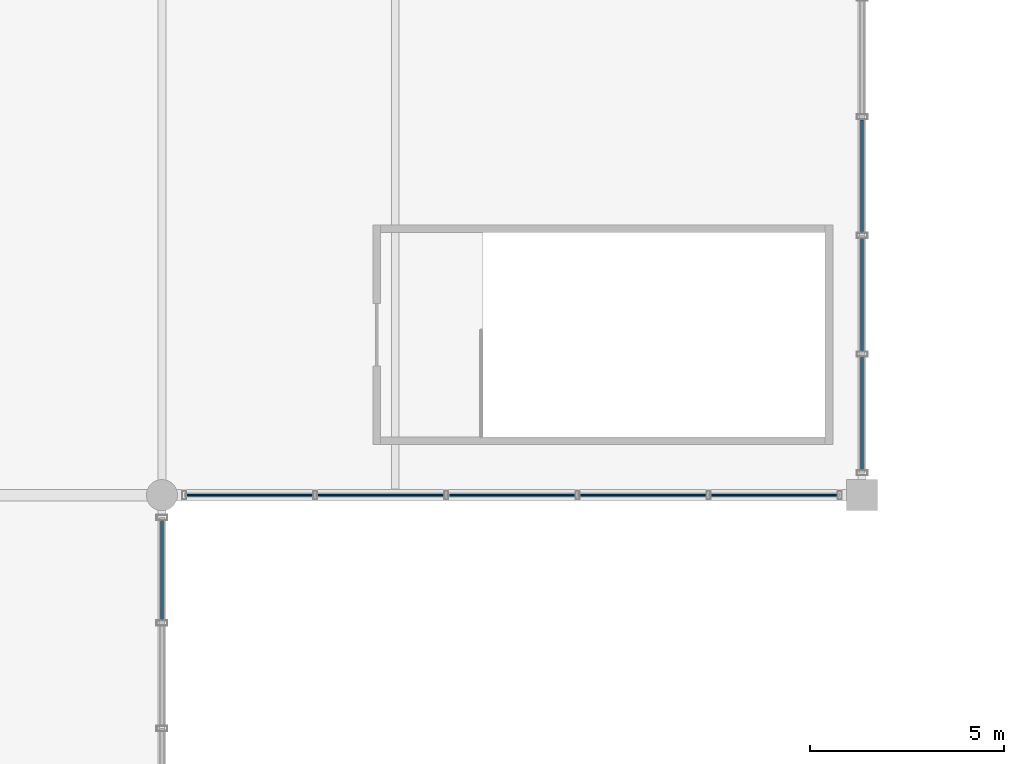
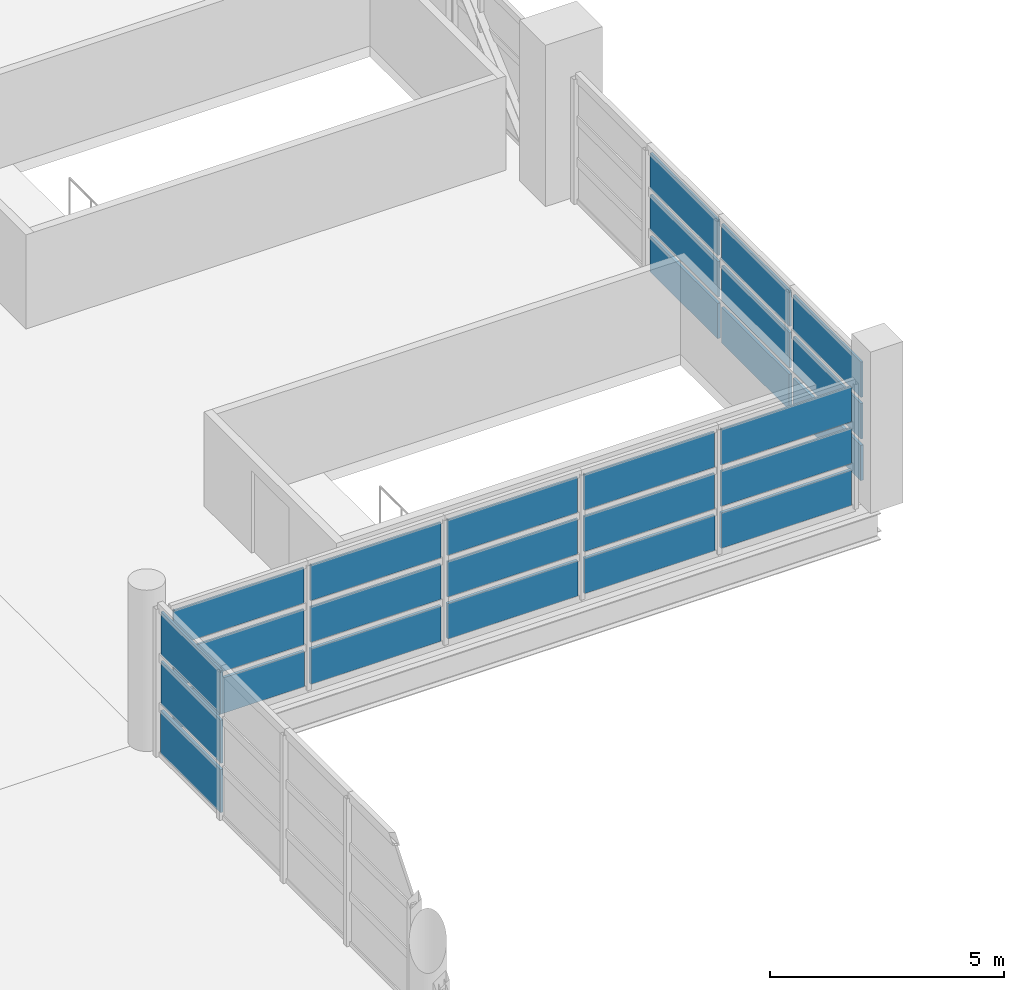
# One storey, part 100 of 136: 27 plates, 3 elements without a shape of their own.
"""IFC4 building model written with IfcOpenShell, lengths in metres."""

from ifc_helpers import new_model, si_unit, direction, frame, origin, origin_2d, place, context, subcontext, project, spatial, rectangle, extrude, material, layer, layer_set, type_object, element, aggregate, save


model = new_model("IFC4")

# Units and contexts
model_context = context("Model", 3, precision=1e-05, world=origin(), true_north=direction((0.0, 1.0)))
body_context = subcontext(model_context, "Body", "Model", "MODEL_VIEW")
ifc_project = project(units=[si_unit("LENGTHUNIT", "METRE"), si_unit("AREAUNIT", "SQUARE_METRE"), si_unit("VOLUMEUNIT", "CUBIC_METRE"), si_unit("PLANEANGLEUNIT", "RADIAN"), si_unit("MASSUNIT", "GRAM", prefix="KILO")], contexts=[model_context])

# Site, building, storey
site_placement = place(None, origin())
site = spatial("IfcSite", under=ifc_project, at=site_placement, CompositionType="ELEMENT")
building_placement = place(site_placement, origin())
building = spatial("IfcBuilding", under=site, at=building_placement, Name="Chuanluo Vaults Station", CompositionType="ELEMENT")
storey_placement = place(building_placement, frame((0.0, 0.0, 6.60009765625)))
storey = spatial("IfcBuildingStorey", under=building, at=storey_placement, Name="L01", CompositionType="ELEMENT", Elevation=6.60009765625)

# Curtain wall, plate
ifc_material_1 = material(Name="Anodised aluminium 6063-T6", Category="aluminium")
curtain_wall_type_1 = type_object("IfcCurtainWallType", Name="CW-SYS-10", PredefinedType="NOTDEFINED", material=ifc_material_1)
curtain_wall_1_placement = place(storey_placement, origin())
curtain_wall_1 = element("IfcCurtainWall", 1, at=curtain_wall_1_placement, inside=storey, type_object=curtain_wall_type_1, Name="Concourse east curtain wall 42", PredefinedType="NOTDEFINED")
ifc_material_2 = material(Name="Ceramic-fritted spandrel glass", Category="glass")
ifc_layer_1 = layer(ifc_material_2, 0.070068359375)
ifc_layer_set_1 = layer_set([ifc_layer_1], Name="Ceramic-fritted spandrel glass")
plate_type_1 = type_object("IfcPlateType", Name="CWP-SPN-50", PredefinedType="SHEET", material=ifc_layer_set_1)
plate_1_placement = place(storey_placement, frame((90.0, 52.068603515625, 0.080078125), z_axis=(0.0, 0.0, 1.0), x_axis=(0.0, -1.0, 0.0)))
plate_1 = element("IfcPlate", 2, at=plate_1_placement, type_object=plate_type_1, Name="Concourse east curtain wall 42 glazed panel 1.1", PredefinedType="SHEET", context=body_context, shape_type="SweptSolid", body=[
    extrude(rectangle(XDim=2.552490234375, YDim=0.070068359375, at=origin_2d()), origin(), (0.0, 0.0, 1.0), 1.123291015625),
])

# Curtain wall, plates
ifc_material_3 = material(Name="Anodised aluminium 6063-T6", Category="aluminium")
curtain_wall_type_2 = type_object("IfcCurtainWallType", Name="CW-SYS-22", PredefinedType="NOTDEFINED", material=ifc_material_3)
curtain_wall_2_placement = place(storey_placement, origin())
curtain_wall_2 = element("IfcCurtainWall", 3, at=curtain_wall_2_placement, inside=storey, type_object=curtain_wall_type_2, Name="Over-track east hall CW 54", PredefinedType="NOTDEFINED")
plate_2_placement = place(storey_placement, frame((108.0, 62.199951171875, 0.079833984375), z_axis=(0.0, 0.0, 1.0), x_axis=(0.0, -1.0, 0.0)))
plate_2 = element("IfcPlate", 4, at=plate_2_placement, type_object=plate_type_1, Name="Over-track east hall CW 54 glazed panel 2.1", PredefinedType="SHEET", context=body_context, shape_type="SweptSolid", body=[
    extrude(rectangle(XDim=2.889892578125, YDim=0.070068359375, at=origin_2d()), origin(), (0.0, 0.0, 1.0), 0.92333984375),
])
plate_3_placement = place(storey_placement, frame((108.0, 59.14990234375, 0.079833984375), z_axis=(0.0, 0.0, 1.0), x_axis=(0.0, -1.0, 0.0)))
plate_3 = element("IfcPlate", 5, at=plate_3_placement, type_object=plate_type_1, Name="Over-track east hall CW 54 glazed panel 3.1", PredefinedType="SHEET", context=body_context, shape_type="SweptSolid", body=[
    extrude(rectangle(XDim=2.889892578125, YDim=0.070068359375, at=origin_2d()), origin(), (0.0, 0.0, 1.0), 0.92333984375),
])
plate_4_placement = place(storey_placement, frame((108.0, 56.10009765625, 0.079833984375), z_axis=(0.0, 0.0, 1.0), x_axis=(0.0, -1.0, 0.0)))
plate_4 = element("IfcPlate", 6, at=plate_4_placement, type_object=plate_type_1, Name="Over-track east hall CW 54 glazed panel 4.1", PredefinedType="SHEET", context=body_context, shape_type="SweptSolid", body=[
    extrude(rectangle(XDim=2.889892578125, YDim=0.070068359375, at=origin_2d()), origin(), (0.0, 0.0, 1.0), 0.92333984375),
])

ifc_material_4 = material(Name="Anodised aluminium 6063-T6", Category="aluminium")
curtain_wall_type_3 = type_object("IfcCurtainWallType", Name="CW-SYS-04", PredefinedType="NOTDEFINED", material=ifc_material_4)
curtain_wall_3_placement = place(storey_placement, origin())
curtain_wall_3 = element("IfcCurtainWall", 7, at=curtain_wall_3_placement, inside=storey, type_object=curtain_wall_type_3, Name="Over-track SE bridge CW", PredefinedType="NOTDEFINED")
plate_5_placement = place(storey_placement, frame((105.739990234375, 54.0, 0.079833984375), z_axis=(0.0, 0.0, 1.0), x_axis=(-1.0, 0.0, 0.0)))
plate_5 = element("IfcPlate", 8, at=plate_5_placement, type_object=plate_type_1, Name="Over-track SE bridge CW glazed panel 1.1", PredefinedType="SHEET", context=body_context, shape_type="SweptSolid", body=[
    extrude(rectangle(XDim=3.2099609375, YDim=0.070068359375, at=origin_2d()), origin(), (0.0, 0.0, 1.0), 0.92333984375),
])
plate_6_placement = place(storey_placement, frame((102.3701171875, 54.0, 0.079833984375), z_axis=(0.0, 0.0, 1.0), x_axis=(-1.0, 0.0, 0.0)))
plate_6 = element("IfcPlate", 9, at=plate_6_placement, type_object=plate_type_1, Name="Over-track SE bridge CW glazed panel 2.1", PredefinedType="SHEET", context=body_context, shape_type="SweptSolid", body=[
    extrude(rectangle(XDim=3.2099609375, YDim=0.070068359375, at=origin_2d()), origin(), (0.0, 0.0, 1.0), 0.92333984375),
])
plate_7_placement = place(storey_placement, frame((99.0, 54.0, 0.079833984375), z_axis=(0.0, 0.0, 1.0), x_axis=(-1.0, 0.0, 0.0)))
plate_7 = element("IfcPlate", 10, at=plate_7_placement, type_object=plate_type_1, Name="Over-track SE bridge CW glazed panel 3.1", PredefinedType="SHEET", context=body_context, shape_type="SweptSolid", body=[
    extrude(rectangle(XDim=3.2099609375, YDim=0.070068359375, at=origin_2d()), origin(), (0.0, 0.0, 1.0), 0.92333984375),
])
plate_8_placement = place(storey_placement, frame((95.6298828125, 54.0, 0.079833984375), z_axis=(0.0, 0.0, 1.0), x_axis=(-1.0, 0.0, 0.0)))
plate_8 = element("IfcPlate", 11, at=plate_8_placement, type_object=plate_type_1, Name="Over-track SE bridge CW glazed panel 4.1", PredefinedType="SHEET", context=body_context, shape_type="SweptSolid", body=[
    extrude(rectangle(XDim=3.2099609375, YDim=0.070068359375, at=origin_2d()), origin(), (0.0, 0.0, 1.0), 0.92333984375),
])
plate_9_placement = place(storey_placement, frame((92.260009765625, 54.0, 0.079833984375), z_axis=(0.0, 0.0, 1.0), x_axis=(-1.0, 0.0, 0.0)))
plate_9 = element("IfcPlate", 12, at=plate_9_placement, type_object=plate_type_1, Name="Over-track SE bridge CW glazed panel 5.1", PredefinedType="SHEET", context=body_context, shape_type="SweptSolid", body=[
    extrude(rectangle(XDim=3.2099609375, YDim=0.070068359375, at=origin_2d()), origin(), (0.0, 0.0, 1.0), 0.92333984375),
])
ifc_material_5 = material(Name="Double-silver Low-E laminated glass", Category="glass")
ifc_layer_2 = layer(ifc_material_5, 0.0439453125)
ifc_layer_set_2 = layer_set([ifc_layer_2], Name="Double-silver Low-E laminated glass")
plate_type_2 = type_object("IfcPlateType", Name="CWP-VIS-28", PredefinedType="CURTAIN_PANEL", material=ifc_layer_set_2)
plate_10_placement = place(storey_placement, frame((105.739990234375, 54.0, 1.163330078125), z_axis=(0.0, 0.0, 1.0), x_axis=(-1.0, 0.0, 0.0)))
plate_10 = element("IfcPlate", 13, at=plate_10_placement, type_object=plate_type_2, Name="Over-track SE bridge CW glazed panel 1.2", PredefinedType="CURTAIN_PANEL", context=body_context, shape_type="SweptSolid", body=[
    extrude(rectangle(XDim=3.2099609375, YDim=0.0439453125, at=origin_2d()), origin(), (0.0, 0.0, 1.0), 0.92333984375),
])
plate_11_placement = place(storey_placement, frame((105.739990234375, 54.0, 2.24658203125), z_axis=(0.0, 0.0, 1.0), x_axis=(-1.0, 0.0, 0.0)))
plate_11 = element("IfcPlate", 14, at=plate_11_placement, type_object=plate_type_2, Name="Over-track SE bridge CW glazed panel 1.3", PredefinedType="CURTAIN_PANEL", context=body_context, shape_type="SweptSolid", body=[
    extrude(rectangle(XDim=3.2099609375, YDim=0.0439453125, at=origin_2d()), origin(), (0.0, 0.0, 1.0), 0.92333984375),
])
plate_12_placement = place(storey_placement, frame((102.3701171875, 54.0, 1.163330078125), z_axis=(0.0, 0.0, 1.0), x_axis=(-1.0, 0.0, 0.0)))
plate_12 = element("IfcPlate", 15, at=plate_12_placement, type_object=plate_type_2, Name="Over-track SE bridge CW glazed panel 2.2", PredefinedType="CURTAIN_PANEL", context=body_context, shape_type="SweptSolid", body=[
    extrude(rectangle(XDim=3.2099609375, YDim=0.0439453125, at=origin_2d()), origin(), (0.0, 0.0, 1.0), 0.92333984375),
])
plate_13_placement = place(storey_placement, frame((102.3701171875, 54.0, 2.24658203125), z_axis=(0.0, 0.0, 1.0), x_axis=(-1.0, 0.0, 0.0)))
plate_13 = element("IfcPlate", 16, at=plate_13_placement, type_object=plate_type_2, Name="Over-track SE bridge CW glazed panel 2.3", PredefinedType="CURTAIN_PANEL", context=body_context, shape_type="SweptSolid", body=[
    extrude(rectangle(XDim=3.2099609375, YDim=0.0439453125, at=origin_2d()), origin(), (0.0, 0.0, 1.0), 0.92333984375),
])
plate_14_placement = place(storey_placement, frame((99.0, 54.0, 1.163330078125), z_axis=(0.0, 0.0, 1.0), x_axis=(-1.0, 0.0, 0.0)))
plate_14 = element("IfcPlate", 17, at=plate_14_placement, type_object=plate_type_2, Name="Over-track SE bridge CW glazed panel 3.2", PredefinedType="CURTAIN_PANEL", context=body_context, shape_type="SweptSolid", body=[
    extrude(rectangle(XDim=3.2099609375, YDim=0.0439453125, at=origin_2d()), origin(), (0.0, 0.0, 1.0), 0.92333984375),
])
plate_15_placement = place(storey_placement, frame((99.0, 54.0, 2.24658203125), z_axis=(0.0, 0.0, 1.0), x_axis=(-1.0, 0.0, 0.0)))
plate_15 = element("IfcPlate", 18, at=plate_15_placement, type_object=plate_type_2, Name="Over-track SE bridge CW glazed panel 3.3", PredefinedType="CURTAIN_PANEL", context=body_context, shape_type="SweptSolid", body=[
    extrude(rectangle(XDim=3.2099609375, YDim=0.0439453125, at=origin_2d()), origin(), (0.0, 0.0, 1.0), 0.92333984375),
])
plate_16_placement = place(storey_placement, frame((95.6298828125, 54.0, 1.163330078125), z_axis=(0.0, 0.0, 1.0), x_axis=(-1.0, 0.0, 0.0)))
plate_16 = element("IfcPlate", 19, at=plate_16_placement, type_object=plate_type_2, Name="Over-track SE bridge CW glazed panel 4.2", PredefinedType="CURTAIN_PANEL", context=body_context, shape_type="SweptSolid", body=[
    extrude(rectangle(XDim=3.2099609375, YDim=0.0439453125, at=origin_2d()), origin(), (0.0, 0.0, 1.0), 0.92333984375),
])
plate_17_placement = place(storey_placement, frame((95.6298828125, 54.0, 2.24658203125), z_axis=(0.0, 0.0, 1.0), x_axis=(-1.0, 0.0, 0.0)))
plate_17 = element("IfcPlate", 20, at=plate_17_placement, type_object=plate_type_2, Name="Over-track SE bridge CW glazed panel 4.3", PredefinedType="CURTAIN_PANEL", context=body_context, shape_type="SweptSolid", body=[
    extrude(rectangle(XDim=3.2099609375, YDim=0.0439453125, at=origin_2d()), origin(), (0.0, 0.0, 1.0), 0.92333984375),
])
plate_18_placement = place(storey_placement, frame((92.260009765625, 54.0, 1.163330078125), z_axis=(0.0, 0.0, 1.0), x_axis=(-1.0, 0.0, 0.0)))
plate_18 = element("IfcPlate", 21, at=plate_18_placement, type_object=plate_type_2, Name="Over-track SE bridge CW glazed panel 5.2", PredefinedType="CURTAIN_PANEL", context=body_context, shape_type="SweptSolid", body=[
    extrude(rectangle(XDim=3.2099609375, YDim=0.0439453125, at=origin_2d()), origin(), (0.0, 0.0, 1.0), 0.92333984375),
])
plate_19_placement = place(storey_placement, frame((92.260009765625, 54.0, 2.24658203125), z_axis=(0.0, 0.0, 1.0), x_axis=(-1.0, 0.0, 0.0)))
plate_19 = element("IfcPlate", 22, at=plate_19_placement, type_object=plate_type_2, Name="Over-track SE bridge CW glazed panel 5.3", PredefinedType="CURTAIN_PANEL", context=body_context, shape_type="SweptSolid", body=[
    extrude(rectangle(XDim=3.2099609375, YDim=0.0439453125, at=origin_2d()), origin(), (0.0, 0.0, 1.0), 0.92333984375),
])
aggregate(curtain_wall_3, [plate_5, plate_10, plate_11, plate_6, plate_12, plate_13, plate_7, plate_14, plate_15, plate_8, plate_16, plate_17, plate_9, plate_18, plate_19])

# Plate
ifc_material_6 = material(Name="Double-silver Low-E laminated glass", Category="glass")
ifc_layer_3 = layer(ifc_material_6, 0.053955078125)
ifc_layer_set_3 = layer_set([ifc_layer_3], Name="Double-silver Low-E laminated glass")
plate_type_3 = type_object("IfcPlateType", Name="CWP-VIS-36", PredefinedType="CURTAIN_PANEL", material=ifc_layer_set_3)
plate_20_placement = place(storey_placement, frame((90.0, 52.068603515625, 1.36328125), z_axis=(0.0, 0.0, 1.0), x_axis=(0.0, -1.0, 0.0)))
plate_20 = element("IfcPlate", 23, at=plate_20_placement, type_object=plate_type_3, Name="Concourse east curtain wall 42 glazed panel 1.2", PredefinedType="CURTAIN_PANEL", context=body_context, shape_type="SweptSolid", body=[
    extrude(rectangle(XDim=2.552490234375, YDim=0.053955078125, at=origin_2d()), origin(), (0.0, 0.0, 1.0), 1.123291015625),
])

plate_21_placement = place(storey_placement, frame((90.0, 52.068603515625, 2.646484375), z_axis=(0.0, 0.0, 1.0), x_axis=(0.0, -1.0, 0.0)))
plate_21 = element("IfcPlate", 24, at=plate_21_placement, type_object=plate_type_3, Name="Concourse east curtain wall 42 glazed panel 1.3", PredefinedType="CURTAIN_PANEL", context=body_context, shape_type="SweptSolid", body=[
    extrude(rectangle(XDim=2.552490234375, YDim=0.053955078125, at=origin_2d()), origin(), (0.0, 0.0, 1.0), 1.123291015625),
])

aggregate(curtain_wall_1, [plate_1, plate_20, plate_21])

plate_22_placement = place(storey_placement, frame((108.0, 62.199951171875, 1.163330078125), z_axis=(0.0, 0.0, 1.0), x_axis=(0.0, -1.0, 0.0)))
plate_22 = element("IfcPlate", 25, at=plate_22_placement, type_object=plate_type_3, Name="Over-track east hall CW 54 glazed panel 2.2", PredefinedType="CURTAIN_PANEL", context=body_context, shape_type="SweptSolid", body=[
    extrude(rectangle(XDim=2.889892578125, YDim=0.053955078125, at=origin_2d()), origin(), (0.0, 0.0, 1.0), 0.92333984375),
])

plate_23_placement = place(storey_placement, frame((108.0, 62.199951171875, 2.24658203125), z_axis=(0.0, 0.0, 1.0), x_axis=(0.0, -1.0, 0.0)))
plate_23 = element("IfcPlate", 26, at=plate_23_placement, type_object=plate_type_3, Name="Over-track east hall CW 54 glazed panel 2.3", PredefinedType="CURTAIN_PANEL", context=body_context, shape_type="SweptSolid", body=[
    extrude(rectangle(XDim=2.889892578125, YDim=0.053955078125, at=origin_2d()), origin(), (0.0, 0.0, 1.0), 0.92333984375),
])

plate_24_placement = place(storey_placement, frame((108.0, 59.14990234375, 1.163330078125), z_axis=(0.0, 0.0, 1.0), x_axis=(0.0, -1.0, 0.0)))
plate_24 = element("IfcPlate", 27, at=plate_24_placement, type_object=plate_type_3, Name="Over-track east hall CW 54 glazed panel 3.2", PredefinedType="CURTAIN_PANEL", context=body_context, shape_type="SweptSolid", body=[
    extrude(rectangle(XDim=2.889892578125, YDim=0.053955078125, at=origin_2d()), origin(), (0.0, 0.0, 1.0), 0.92333984375),
])

plate_25_placement = place(storey_placement, frame((108.0, 59.14990234375, 2.24658203125), z_axis=(0.0, 0.0, 1.0), x_axis=(0.0, -1.0, 0.0)))
plate_25 = element("IfcPlate", 28, at=plate_25_placement, type_object=plate_type_3, Name="Over-track east hall CW 54 glazed panel 3.3", PredefinedType="CURTAIN_PANEL", context=body_context, shape_type="SweptSolid", body=[
    extrude(rectangle(XDim=2.889892578125, YDim=0.053955078125, at=origin_2d()), origin(), (0.0, 0.0, 1.0), 0.92333984375),
])

plate_26_placement = place(storey_placement, frame((108.0, 56.10009765625, 1.163330078125), z_axis=(0.0, 0.0, 1.0), x_axis=(0.0, -1.0, 0.0)))
plate_26 = element("IfcPlate", 29, at=plate_26_placement, type_object=plate_type_3, Name="Over-track east hall CW 54 glazed panel 4.2", PredefinedType="CURTAIN_PANEL", context=body_context, shape_type="SweptSolid", body=[
    extrude(rectangle(XDim=2.889892578125, YDim=0.053955078125, at=origin_2d()), origin(), (0.0, 0.0, 1.0), 0.92333984375),
])

plate_27_placement = place(storey_placement, frame((108.0, 56.10009765625, 2.24658203125), z_axis=(0.0, 0.0, 1.0), x_axis=(0.0, -1.0, 0.0)))
plate_27 = element("IfcPlate", 30, at=plate_27_placement, type_object=plate_type_3, Name="Over-track east hall CW 54 glazed panel 4.3", PredefinedType="CURTAIN_PANEL", context=body_context, shape_type="SweptSolid", body=[
    extrude(rectangle(XDim=2.889892578125, YDim=0.053955078125, at=origin_2d()), origin(), (0.0, 0.0, 1.0), 0.92333984375),
])

aggregate(curtain_wall_2, [plate_2, plate_22, plate_23, plate_3, plate_24, plate_25, plate_4, plate_26, plate_27])

save(model, "model.ifc")
